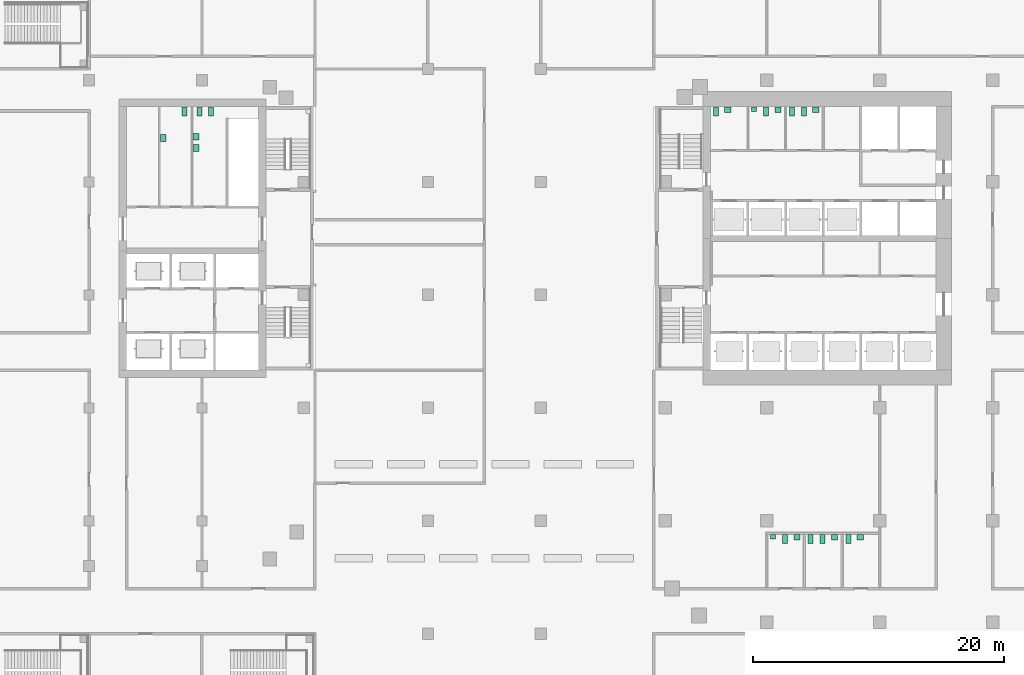
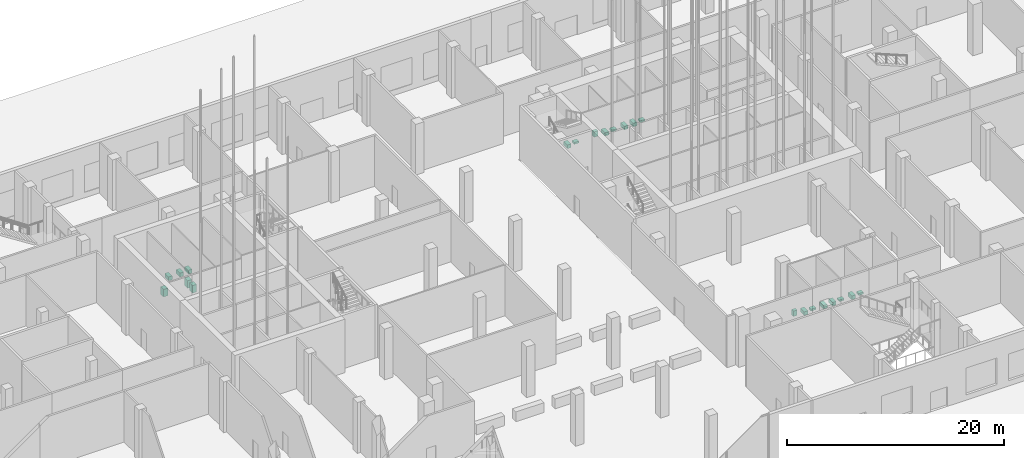
# One storey, part 53 of 55: 22 sanitary terminals.
"""IFC4 building model written with IfcOpenShell, lengths in metres."""

from ifc_helpers import new_model, si_unit, direction, frame, origin, origin_2d, place, context, subcontext, project, spatial, rectangle, extrude, material, type_object, element, save


model = new_model("IFC4")

# Units and contexts
model_context = context("Model", 3, precision=1e-05, world=origin(), true_north=direction((0.0, 1.0)))
body_context = subcontext(model_context, "Body", "Model", "MODEL_VIEW")
ifc_project = project(units=[si_unit("LENGTHUNIT", "METRE"), si_unit("AREAUNIT", "SQUARE_METRE"), si_unit("VOLUMEUNIT", "CUBIC_METRE"), si_unit("PLANEANGLEUNIT", "RADIAN"), si_unit("MASSUNIT", "GRAM", prefix="KILO")], contexts=[model_context])

# Site, building, storey
site_placement = place(None, origin())
site = spatial("IfcSite", under=ifc_project, at=site_placement, CompositionType="ELEMENT")
building_placement = place(site_placement, origin())
building = spatial("IfcBuilding", under=site, at=building_placement, Name="Cinnabar Reach Civic Tower", CompositionType="ELEMENT")
storey_placement = place(building_placement, origin())
storey = spatial("IfcBuildingStorey", under=building, at=storey_placement, Name="L00", CompositionType="ELEMENT", Elevation=0.0)

# Sanitary terminals
ifc_material = material(Name="Vitreous china")
sanitary_terminal_type_1 = type_object("IfcSanitaryTerminalType", Name="T1 WC pan", PredefinedType="TOILETPAN", material=ifc_material)
for number, where, z_axis, x_axis, name in (
    (1, (10.45, 7.55, 0.0), (0.0, 0.0, 1.0), (1.0, 0.0, 0.0), "T1 WC pan 0040-2"),
    (2, (12.5, 7.55, 0.0), (0.0, 0.0, 1.0), (1.0, 0.0, 0.0), "T1 WC pan 0041-1"),
    (3, (13.45, 7.55, 0.0), (0.0, 0.0, 1.0), (1.0, 0.0, 0.0), "T1 WC pan 0041-2"),
    (4, (15.5, 7.55, 0.0), (0.0, 0.0, 1.0), (1.0, 0.0, 0.0), "T1 WC pan 0042-1"),
    (5, (4.95, 41.6, 0.0), (0.0, 0.0, 1.0), (1.0, 0.0, 0.0), "T1 WC pan 0007-1"),
    (6, (8.95, 41.6, 0.0), (0.0, 0.0, 1.0), (1.0, 0.0, 0.0), "T1 WC pan 0008-2"),
    (7, (11.0, 41.6, 0.0), (0.0, 0.0, 1.0), (1.0, 0.0, 0.0), "T1 WC pan 0009-1"),
    (8, (11.95, 41.6, 0.0), (0.0, 0.0, 1.0), (1.0, 0.0, 0.0), "T1 WC pan 0009-2"),
):
    element("IfcSanitaryTerminal", number, at=place(storey_placement, frame(where, z_axis=z_axis, x_axis=x_axis)), inside=storey, type_object=sanitary_terminal_type_1, Name=name, PredefinedType="TOILETPAN", context=body_context, shape_type="SweptSolid", body=[
        extrude(rectangle(XDim=0.4, YDim=0.7, at=origin_2d()), origin(), (0.0, 0.0, 1.0), 0.4),
    ])
sanitary_terminal_type_2 = type_object("IfcSanitaryTerminalType", Name="T1 urinal", PredefinedType="URINAL", material=ifc_material)
for number, where, z_axis, x_axis, name in (
    (9, (9.5, 7.725, 0.0), (0.0, 0.0, 1.0), (1.0, 0.0, 0.0), "T1 urinal 0040-1"),
    (10, (8.0, 41.775, 0.0), (0.0, 0.0, 1.0), (1.0, 0.0, 0.0), "T1 urinal 0008-1"),
):
    element("IfcSanitaryTerminal", number, at=place(storey_placement, frame(where, z_axis=z_axis, x_axis=x_axis)), inside=storey, type_object=sanitary_terminal_type_2, Name=name, PredefinedType="URINAL", context=body_context, shape_type="SweptSolid", body=[
        extrude(rectangle(XDim=0.4, YDim=0.35, at=origin_2d()), origin(), (0.0, 0.0, 1.0), 0.6),
    ])
sanitary_terminal_type_3 = type_object("IfcSanitaryTerminalType", Name="T1 wash basin", PredefinedType="WASHHANDBASIN", material=ifc_material)
for number, where, z_axis, x_axis, name in (
    (11, (11.4, 7.69, 0.0), (0.0, 0.0, 1.0), (1.0, 0.0, 0.0), "T1 wash basin 0040-3"),
    (12, (14.4, 7.69, 0.0), (0.0, 0.0, 1.0), (1.0, 0.0, 0.0), "T1 wash basin 0041-3"),
    (13, (16.45, 7.69, 0.0), (0.0, 0.0, 1.0), (1.0, 0.0, 0.0), "T1 wash basin 0042-2"),
    (14, (5.9, 41.74, 0.0), (0.0, 0.0, 1.0), (1.0, 0.0, 0.0), "T1 wash basin 0007-2"),
    (15, (9.9, 41.74, 0.0), (0.0, 0.0, 1.0), (1.0, 0.0, 0.0), "T1 wash basin 0008-3"),
    (16, (12.9, 41.74, 0.0), (0.0, 0.0, 1.0), (1.0, 0.0, 0.0), "T1 wash basin 0009-3"),
):
    element("IfcSanitaryTerminal", number, at=place(storey_placement, frame(where, z_axis=z_axis, x_axis=x_axis)), inside=storey, type_object=sanitary_terminal_type_3, Name=name, PredefinedType="WASHHANDBASIN", context=body_context, shape_type="SweptSolid", body=[
        extrude(rectangle(XDim=0.5, YDim=0.42, at=origin_2d()), origin(), (0.0, 0.0, 1.0), 0.2),
    ])
sanitary_terminal_type_4 = type_object("IfcSanitaryTerminalType", Name="T2 WC pan", PredefinedType="TOILETPAN", material=ifc_material)
for number, where, z_axis, x_axis, name in (
    (17, (-37.4, 41.6, 0.0), (0.0, 0.0, 1.0), (1.0, 0.0, 0.0), "WC pan"),
    (18, (-36.2, 41.6, 0.0), (0.0, 0.0, 1.0), (1.0, 0.0, 0.0), "WC pan"),
    (19, (-35.3, 41.6, 0.0), (0.0, 0.0, 1.0), (1.0, 0.0, 0.0), "WC pan"),
):
    element("IfcSanitaryTerminal", number, at=place(storey_placement, frame(where, z_axis=z_axis, x_axis=x_axis)), inside=storey, type_object=sanitary_terminal_type_4, Name=name, PredefinedType="TOILETPAN", context=body_context, shape_type="SweptSolid", body=[
        extrude(rectangle(XDim=0.4, YDim=0.7, at=origin_2d()), origin(), (0.0, 0.0, 1.0), 0.42),
    ])
sanitary_terminal_type_5 = type_object("IfcSanitaryTerminalType", Name="T2 Wash basin", PredefinedType="WASHHANDBASIN", material=ifc_material)
for number, where, z_axis, x_axis, name in (
    (20, (-39.075, 39.5, 0.0), (0.0, 0.0, 1.0), (1.0, 0.0, 0.0), "Wash basin"),
    (21, (-36.475, 39.6, 0.0), (0.0, 0.0, 1.0), (1.0, 0.0, 0.0), "Wash basin"),
    (22, (-36.475, 38.7, 0.0), (0.0, 0.0, 1.0), (1.0, 0.0, 0.0), "Wash basin"),
):
    element("IfcSanitaryTerminal", number, at=place(storey_placement, frame(where, z_axis=z_axis, x_axis=x_axis)), inside=storey, type_object=sanitary_terminal_type_5, Name=name, PredefinedType="WASHHANDBASIN", context=body_context, shape_type="SweptSolid", body=[
        extrude(rectangle(XDim=0.45, YDim=0.55, at=origin_2d()), origin(), (0.0, 0.0, 1.0), 0.85),
    ])

save(model, "model.ifc")
